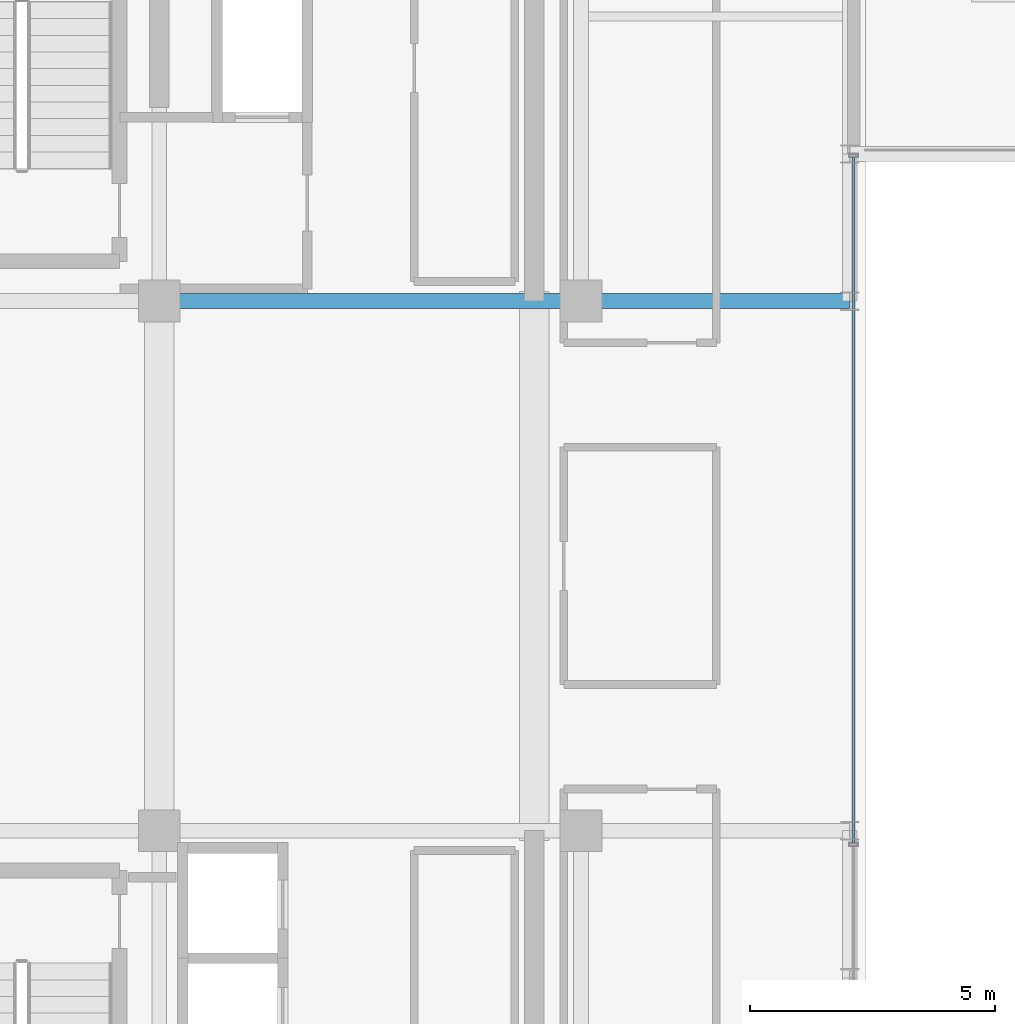
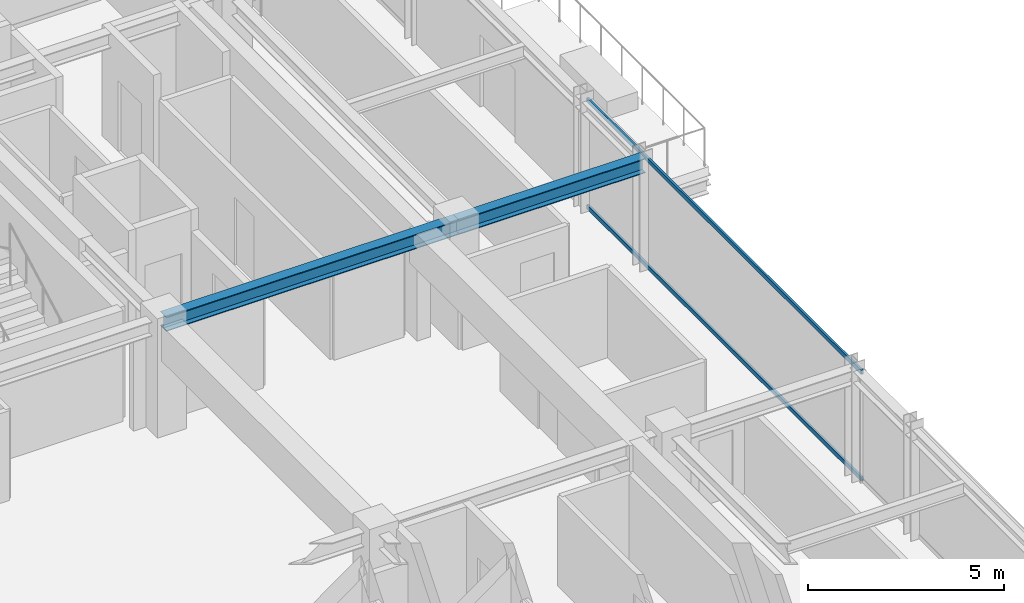
# One storey, part 14 of 32: 2 beams, 2 members, 1 element without a shape of its own.
"""IFC4 building model written with IfcOpenShell, lengths in metres."""

from ifc_helpers import new_model, si_unit, direction, frame, origin, origin_2d, place, context, subcontext, project, spatial, hollow_rectangle, i_section, extrude, source, transform, mapped, material, material_profile, profile_set, type_object, element, aggregate, save


model = new_model("IFC4")

# Units and contexts
model_context = context("Model", 3, precision=1e-05, world=origin(), true_north=direction((0.0, 1.0)))
body_context = subcontext(model_context, "Body", "Model", "MODEL_VIEW")
ifc_project = project(units=[si_unit("LENGTHUNIT", "METRE"), si_unit("AREAUNIT", "SQUARE_METRE"), si_unit("VOLUMEUNIT", "CUBIC_METRE"), si_unit("PLANEANGLEUNIT", "RADIAN"), si_unit("MASSUNIT", "GRAM", prefix="KILO")], contexts=[model_context])

# Site, building, storey
site_placement = place(None, origin())
site = spatial("IfcSite", under=ifc_project, at=site_placement, CompositionType="ELEMENT")
building_placement = place(site_placement, origin())
building = spatial("IfcBuilding", under=site, at=building_placement, Name="Nahalor Promenade Grand Hotel", CompositionType="ELEMENT")
storey_placement = place(building_placement, frame((0.0, 0.0, 285.050048828125)))
storey = spatial("IfcBuildingStorey", under=building, at=storey_placement, Name="L73", CompositionType="ELEMENT", Elevation=285.050048828125)

# Beams
ifc_material_1 = material(Name="Steel S355JR", Category="steel")
ifc_material_profile_1 = material_profile(ifc_material_1, i_section(OverallWidth=0.3, OverallDepth=0.45, WebThickness=0.014, FlangeThickness=0.026, at=origin_2d()), Name="HEB 450")
ifc_profile_set_1 = profile_set([ifc_material_profile_1], Name="Steel S355JR")
beam_type = type_object("IfcBeamType", Name="Beam-Girder-HEB450", PredefinedType="BEAM", material=ifc_profile_set_1)
shared_shape_1 = source(origin(), body_context, "Body", "SweptSolid", [
    extrude(i_section(OverallWidth=0.3, OverallDepth=0.45, WebThickness=0.014, FlangeThickness=0.026, at=origin_2d()), origin(), (0.0, 0.0, 1.0), 8.60009765625),
])
beam_1_placement = place(storey_placement, frame((8.39990234375, 5.39990234375, 3.224853515625), z_axis=(1.0, 0.0, 0.0), x_axis=(0.0, 1.0, 0.0)))
element("IfcBeam", 1, at=beam_1_placement, inside=storey, type_object=beam_type, Name="BM-L73-GX-2-5", PredefinedType="BEAM", context=body_context, shape_type="MappedRepresentation", body=[
    mapped(shared_shape_1, transform((0.0, 0.0, 0.0), scale=1.0)),
])
shared_shape_2 = source(origin(), body_context, "Body", "SweptSolid", [
    extrude(i_section(OverallWidth=0.3, OverallDepth=0.45, WebThickness=0.014, FlangeThickness=0.026, at=origin_2d()), origin(), (0.0, 0.0, 1.0), 5.47998046875),
])
beam_2_placement = place(storey_placement, frame((17.0, 5.39990234375, 3.224853515625), z_axis=(1.0, 0.0, 0.0), x_axis=(0.0, 1.0, 0.0)))
element("IfcBeam", 2, at=beam_2_placement, inside=storey, type_object=beam_type, Name="BM-L73-GX-2-6", PredefinedType="BEAM", context=body_context, shape_type="MappedRepresentation", body=[
    mapped(shared_shape_2, transform((0.0, 0.0, 0.0), scale=1.0)),
])

# Curtain wall, members
ifc_material_2 = material(Name="Anodised Bronze Aluminium EN AW-6063 T6", Category="aluminium")
curtain_wall_type = type_object("IfcCurtainWallType", Name="CW2 Typical Hotel Flush Bronze Unitised Curtain Wall", PredefinedType="USERDEFINED", material=ifc_material_2)
curtain_wall_placement = place(storey_placement, origin())
curtain_wall = element("IfcCurtainWall", 3, at=curtain_wall_placement, inside=storey, type_object=curtain_wall_type, Name="L73 Curtain Wall CW-L73-E-1", ObjectType="UNITISED_CURTAIN_WALL", PredefinedType="USERDEFINED")
ifc_material_profile_2 = material_profile(ifc_material_2, hollow_rectangle(XDim=0.065, YDim=0.13, WallThickness=0.004, at=origin_2d()), Name="CWT 65x130x4")
ifc_profile_set_2 = profile_set([ifc_material_profile_2], Name="Anodised Bronze Aluminium EN AW-6063 T6")
member_type = type_object("IfcMemberType", Name="CWT2 Typical Bronze Transom 65x130", PredefinedType="USERDEFINED", material=ifc_profile_set_2)
shared_shape_3 = source(origin(), body_context, "Body", "SweptSolid", [
    extrude(hollow_rectangle(XDim=0.065, YDim=0.13, WallThickness=0.004, at=origin_2d()), origin(), (0.0, 0.0, 1.0), 13.982421875),
])
member_1_placement = place(storey_placement, frame((22.56005859375, -5.6474609375, 0.06494140625), z_axis=(0.0, 1.0, 0.0), x_axis=(-1.0, 0.0, 0.0)))
member_1 = element("IfcMember", 4, at=member_1_placement, type_object=member_type, Name="CW-L73-E-1 Transom 1-0", ObjectType="TRANSOM", PredefinedType="USERDEFINED", context=body_context, shape_type="MappedRepresentation", body=[
    mapped(shared_shape_3, transform((0.0, 0.0, 0.0), scale=1.0)),
])
member_2_placement = place(storey_placement, frame((22.56005859375, -5.6474609375, 3.385009765625), z_axis=(0.0, 1.0, 0.0), x_axis=(-1.0, 0.0, 0.0)))
member_2 = element("IfcMember", 5, at=member_2_placement, type_object=member_type, Name="CW-L73-E-1 Transom 1-1", ObjectType="TRANSOM", PredefinedType="USERDEFINED", context=body_context, shape_type="MappedRepresentation", body=[
    mapped(shared_shape_3, transform((0.0, 0.0, 0.0), scale=1.0)),
])
aggregate(curtain_wall, [member_1, member_2])

save(model, "model.ifc")
